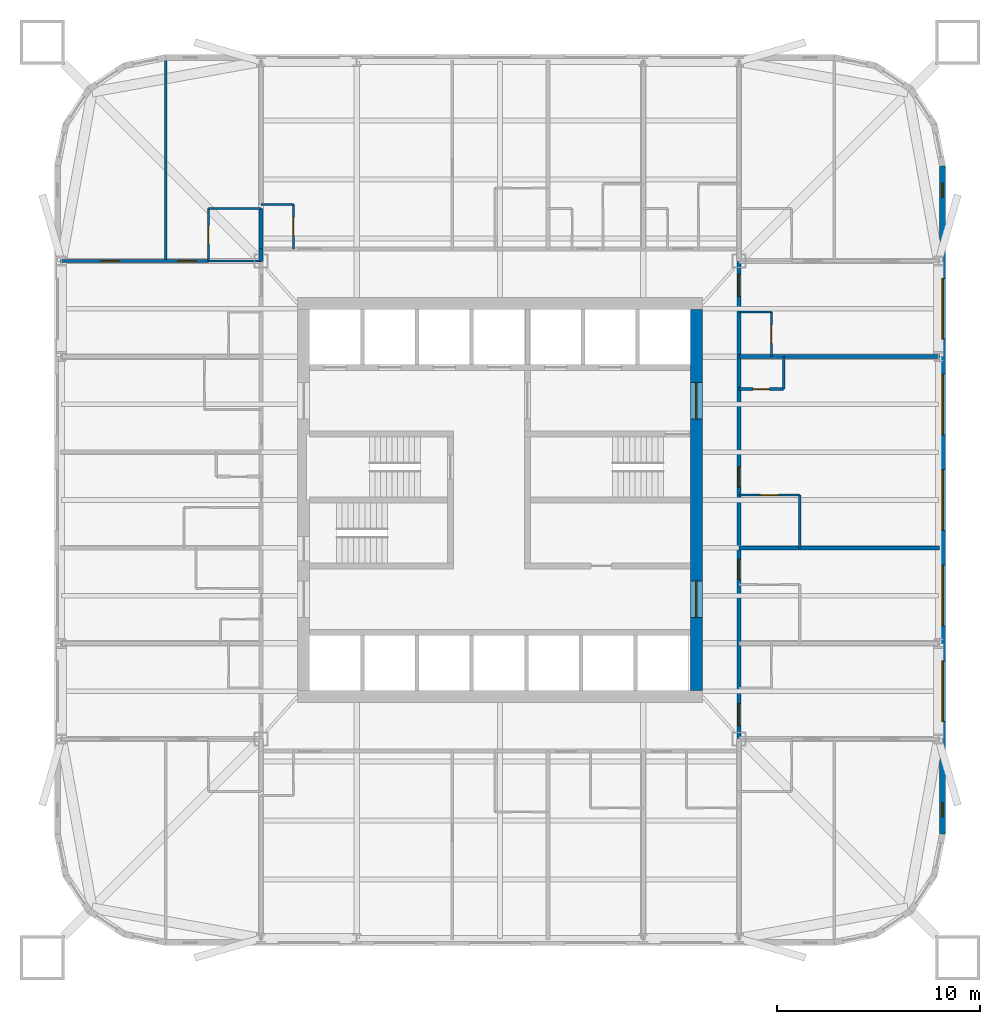
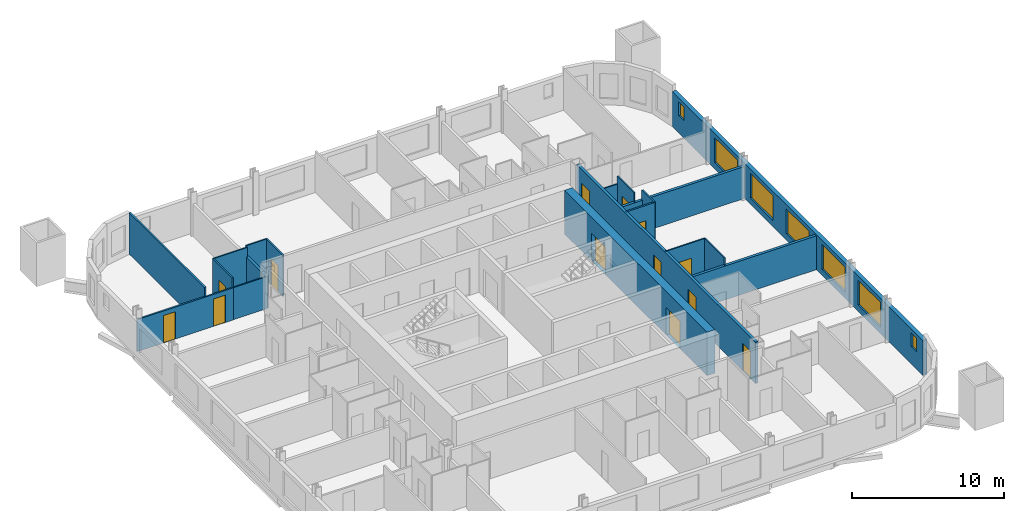
# One storey, part 6 of 9: 20 walls, 13 doors, 7 windows, 20 openings.
"""IFC4 building model written with IfcOpenShell, lengths in metres."""

from ifc_helpers import new_model, si_unit, direction, frame, frame_2d, origin, place, context, subcontext, project, spatial, rectangle, extrude, material, layer, layer_set, type_object, element, fill, save


model = new_model("IFC4")

# Units and contexts
model_context = context("Model", 3, precision=1e-05, world=origin(), true_north=direction((0.0, 1.0)))
body_context = subcontext(model_context, "Body", "Model", "MODEL_VIEW")
ifc_project = project(units=[si_unit("LENGTHUNIT", "METRE"), si_unit("AREAUNIT", "SQUARE_METRE"), si_unit("VOLUMEUNIT", "CUBIC_METRE"), si_unit("PLANEANGLEUNIT", "RADIAN"), si_unit("MASSUNIT", "GRAM", prefix="KILO")], contexts=[model_context])

# Site, building, storey
site_placement = place(None, origin())
site = spatial("IfcSite", under=ifc_project, at=site_placement, CompositionType="ELEMENT")
building_placement = place(site_placement, origin())
building = spatial("IfcBuilding", under=site, at=building_placement, Name="Turquesa Mirador Hotel Tower", CompositionType="ELEMENT")
storey_placement = place(building_placement, frame((0.0, 0.0, 35.5)))
storey = spatial("IfcBuildingStorey", under=building, at=storey_placement, Name="L08", CompositionType="ELEMENT", Elevation=35.5)

# Wall, opening, door
ifc_material_1 = material(Name="Gypsum board on steel studs", Category="steel")
ifc_layer_1 = layer(ifc_material_1, 0.10009765625)
ifc_layer_set_1 = layer_set([ifc_layer_1], Name="BATHROOM WALL 100")
wall_type_1 = type_object("IfcWallType", Name="BATHROOM WALL 100", PredefinedType="PARTITIONING", material=ifc_layer_set_1)
wall_1_placement = place(storey_placement, frame((66.800048828125, 45.239990234375, 0.0), z_axis=(0.0, 0.0, 1.0), x_axis=(1.0, 0.0, 0.0)))
wall_1 = element("IfcWall", 1, at=wall_1_placement, inside=storey, type_object=wall_type_1, Name="Partition L08 022", PredefinedType="PARTITIONING", context=body_context, shape_type="SweptSolid", body=[
    extrude(rectangle(XDim=3.0, YDim=0.10009765625, at=frame_2d((1.5, 0.0))), origin(), (0.0, 0.0, 1.0), 3.330078125),
])
opening_1_placement = place(wall_1_placement, frame((1.050048828125, 0.0, 0.0)))
opening_1 = element("IfcOpeningElement", 2, at=opening_1_placement, cuts=wall_1, Name="Opening D02", PredefinedType="OPENING", context=body_context, shape_type="SweptSolid", body=[
    extrude(rectangle(XDim=0.89990234375, YDim=2.10009765625, at=frame_2d((0.449951171875, 1.050048828125))), frame((0.0, 0.06005859375, 0.0), z_axis=(0.0, -1.0, 0.0), x_axis=(1.0, 0.0, 0.0)), (0.0, 0.0, 1.0), 0.1201171875),
])
ifc_material_2 = material(Name="Timber veneered door", Category="wood")
door_type_1 = type_object("IfcDoorType", Name="DOOR 900X2100 EN-SUITE", OperationType="SINGLE_SWING_RIGHT", PredefinedType="DOOR", material=ifc_material_2)
door_1_placement = place(opening_1_placement, origin())
door_1 = element("IfcDoor", 3, at=door_1_placement, inside=storey, type_object=door_type_1, Name="Door 0808B", OperationType="SINGLE_SWING_RIGHT", OverallHeight=2.10009765625, OverallWidth=0.89990234375, PredefinedType="DOOR", context=body_context, shape_type="SweptSolid", body=[
    extrude(rectangle(XDim=0.89990234375, YDim=2.10009765625, at=frame_2d((0.449951171875, 1.050048828125))), frame((0.0, 0.02490234375, 0.0), z_axis=(0.0, -1.0, 0.0), x_axis=(1.0, 0.0, 0.0)), (0.0, 0.0, 1.0), 0.050048828125),
])
fill(opening_1, door_1)

# Walls
wall_2_placement = place(storey_placement, frame((40.60009765625, 56.800048828125, 0.0), z_axis=(0.0, 0.0, 1.0), x_axis=(1.0, 0.0, 0.0)))
element("IfcWall", 4, at=wall_2_placement, inside=storey, type_object=wall_type_1, Name="Partition L08 024", PredefinedType="PARTITIONING", context=body_context, shape_type="SweptSolid", body=[
    extrude(rectangle(XDim=2.599853515625, YDim=0.10009765625, at=frame_2d((1.2998046875, 0.0))), origin(), (0.0, 0.0, 1.0), 2.572998046875),
])
wall_3_placement = place(storey_placement, frame((40.60009765625, 59.39990234375, 0.0), z_axis=(0.0, 0.0, 1.0), x_axis=(1.0, 0.0, 0.0)))
element("IfcWall", 5, at=wall_3_placement, inside=storey, type_object=wall_type_1, Name="Partition L08 029", PredefinedType="PARTITIONING", context=body_context, shape_type="SweptSolid", body=[
    extrude(rectangle(XDim=2.599853515625, YDim=0.10009765625, at=frame_2d((1.2998046875, 0.0))), origin(), (0.0, 0.0, 1.0), 3.330078125),
])
wall_4_placement = place(storey_placement, frame((43.199951171875, 59.60009765625, 0.0), z_axis=(0.0, 0.0, 1.0), x_axis=(1.0, 0.0, 0.0)))
element("IfcWall", 6, at=wall_4_placement, inside=storey, type_object=wall_type_1, Name="Partition L08 033", PredefinedType="PARTITIONING", context=body_context, shape_type="SweptSolid", body=[
    extrude(rectangle(XDim=1.60009765625, YDim=0.10009765625, at=frame_2d((0.800048828125, 0.0))), origin(), (0.0, 0.0, 1.0), 3.330078125),
])
wall_5_placement = place(storey_placement, frame((66.800048828125, 54.280029296875, 0.0), z_axis=(0.0, 0.0, 1.0), x_axis=(1.0, 0.0, 0.0)))
element("IfcWall", 7, at=wall_5_placement, inside=storey, type_object=wall_type_1, Name="Partition L08 043", PredefinedType="PARTITIONING", context=body_context, shape_type="SweptSolid", body=[
    extrude(rectangle(XDim=1.599853515625, YDim=0.10009765625, at=frame_2d((0.7998046875, 0.0))), origin(), (0.0, 0.0, 1.0), 2.722900390625),
])

# Wall, opening, door
wall_6_placement = place(storey_placement, frame((44.800048828125, 57.39990234375, 0.0), z_axis=(0.0, 0.0, 1.0), x_axis=(0.0, 1.0, 0.0)))
wall_6 = element("IfcWall", 8, at=wall_6_placement, inside=storey, type_object=wall_type_1, Name="Partition L08 047", PredefinedType="PARTITIONING", context=body_context, shape_type="SweptSolid", body=[
    extrude(rectangle(XDim=2.2001953125, YDim=0.10009765625, at=frame_2d((1.10009765625, 0.0))), origin(), (0.0, 0.0, 1.0), 3.330078125),
])
opening_2_placement = place(wall_6_placement, frame((0.64990234375, 0.0, 0.0)))
opening_2 = element("IfcOpeningElement", 9, at=opening_2_placement, cuts=wall_6, Name="Opening D06", PredefinedType="OPENING", context=body_context, shape_type="SweptSolid", body=[
    extrude(rectangle(XDim=0.89990234375, YDim=2.10009765625, at=frame_2d((0.449951171875, 1.050048828125))), frame((0.0, 0.06005859375, 0.0), z_axis=(0.0, -1.0, 0.0), x_axis=(1.0, 0.0, 0.0)), (0.0, 0.0, 1.0), 0.1201171875),
])
ifc_material_3 = material(Name="Laminate door", Category="wood")
door_type_2 = type_object("IfcDoorType", Name="DOOR 900X2100 WC", OperationType="SINGLE_SWING_LEFT", PredefinedType="DOOR", material=ifc_material_3)
door_2_placement = place(opening_2_placement, origin())
door_2 = element("IfcDoor", 10, at=door_2_placement, inside=storey, type_object=door_type_2, Name="Door 0801W", OperationType="SINGLE_SWING_LEFT", OverallHeight=2.10009765625, OverallWidth=0.89990234375, PredefinedType="DOOR", context=body_context, shape_type="SweptSolid", body=[
    extrude(rectangle(XDim=0.89990234375, YDim=2.10009765625, at=frame_2d((0.449951171875, 1.050048828125))), frame((0.0, 0.02490234375, 0.0), z_axis=(0.0, -1.0, 0.0), x_axis=(1.0, 0.0, 0.0)), (0.0, 0.0, 1.0), 0.050048828125),
])
fill(opening_2, door_2)

wall_7_placement = place(storey_placement, frame((40.60009765625, 56.800048828125, 0.0), z_axis=(0.0, 0.0, 1.0), x_axis=(0.0, 1.0, 0.0)))
wall_7 = element("IfcWall", 11, at=wall_7_placement, inside=storey, type_object=wall_type_1, Name="Partition L08 058", PredefinedType="PARTITIONING", context=body_context, shape_type="SweptSolid", body=[
    extrude(rectangle(XDim=2.599853515625, YDim=0.10009765625, at=frame_2d((1.2998046875, 0.0))), origin(), (0.0, 0.0, 1.0), 3.330078125),
])
opening_3_placement = place(wall_7_placement, frame((0.85009765625, 0.0, 0.0)))
opening_3 = element("IfcOpeningElement", 12, at=opening_3_placement, cuts=wall_7, Name="Opening D02", PredefinedType="OPENING", context=body_context, shape_type="SweptSolid", body=[
    extrude(rectangle(XDim=0.89990234375, YDim=2.10009765625, at=frame_2d((0.449951171875, 1.050048828125))), frame((0.0, 0.06005859375, 0.0), z_axis=(0.0, -1.0, 0.0), x_axis=(1.0, 0.0, 0.0)), (0.0, 0.0, 1.0), 0.1201171875),
])
door_3_placement = place(opening_3_placement, origin())
door_3 = element("IfcDoor", 13, at=door_3_placement, inside=storey, type_object=door_type_1, Name="Door 0813B", OperationType="SINGLE_SWING_RIGHT", OverallHeight=2.10009765625, OverallWidth=0.89990234375, PredefinedType="DOOR", context=body_context, shape_type="SweptSolid", body=[
    extrude(rectangle(XDim=0.89990234375, YDim=2.10009765625, at=frame_2d((0.449951171875, 1.050048828125))), frame((0.0, 0.02490234375, 0.0), z_axis=(0.0, -1.0, 0.0), x_axis=(1.0, 0.0, 0.0)), (0.0, 0.0, 1.0), 0.050048828125),
])
fill(opening_3, door_3)

wall_8_placement = place(storey_placement, frame((68.39990234375, 52.080078125, 0.0), z_axis=(0.0, 0.0, 1.0), x_axis=(0.0, 1.0, 0.0)))
wall_8 = element("IfcWall", 14, at=wall_8_placement, inside=storey, type_object=wall_type_1, Name="Partition L08 070", PredefinedType="PARTITIONING", context=body_context, shape_type="SweptSolid", body=[
    extrude(rectangle(XDim=2.199951171875, YDim=0.10009765625, at=frame_2d((1.10009765625, 0.0))), origin(), (0.0, 0.0, 1.0), 3.330078125),
])
opening_4_placement = place(wall_8_placement, frame((0.64990234375, 0.0, 0.0)))
opening_4 = element("IfcOpeningElement", 15, at=opening_4_placement, cuts=wall_8, Name="Opening D06", PredefinedType="OPENING", context=body_context, shape_type="SweptSolid", body=[
    extrude(rectangle(XDim=0.89990234375, YDim=2.10009765625, at=frame_2d((0.449951171875, 1.050048828125))), frame((0.0, 0.06005859375, 0.0), z_axis=(0.0, -1.0, 0.0), x_axis=(1.0, 0.0, 0.0)), (0.0, 0.0, 1.0), 0.1201171875),
])
door_4_placement = place(opening_4_placement, origin())
door_4 = element("IfcDoor", 16, at=door_4_placement, inside=storey, type_object=door_type_2, Name="Door 0812W", OperationType="SINGLE_SWING_LEFT", OverallHeight=2.10009765625, OverallWidth=0.89990234375, PredefinedType="DOOR", context=body_context, shape_type="SweptSolid", body=[
    extrude(rectangle(XDim=0.89990234375, YDim=2.10009765625, at=frame_2d((0.449951171875, 1.050048828125))), frame((0.0, 0.02490234375, 0.0), z_axis=(0.0, -1.0, 0.0), x_axis=(1.0, 0.0, 0.0)), (0.0, 0.0, 1.0), 0.050048828125),
])
fill(opening_4, door_4)

# Wall
wall_9_placement = place(storey_placement, frame((69.800048828125, 42.639892578125, 0.0), z_axis=(0.0, 0.0, 1.0), x_axis=(0.0, 1.0, 0.0)))
element("IfcWall", 17, at=wall_9_placement, inside=storey, type_object=wall_type_1, Name="Partition L08 075", PredefinedType="PARTITIONING", context=body_context, shape_type="SweptSolid", body=[
    extrude(rectangle(XDim=2.60009765625, YDim=0.10009765625, at=frame_2d((1.300048828125, 0.0))), origin(), (0.0, 0.0, 1.0), 3.330078125),
])

# Wall, openings, doors
ifc_material_4 = material(Name="Concrete C50/60", Category="concrete")
ifc_layer_2 = layer(ifc_material_4, 0.60009765625)
ifc_layer_set_2 = layer_set([ifc_layer_2], Name="CORE WALL 600")
wall_type_2 = type_object("IfcWallType", Name="CORE WALL 600", PredefinedType="SHEAR", material=ifc_layer_set_2)
wall_10_placement = place(storey_placement, frame((64.699951171875, 35.60009765625, 0.0), z_axis=(0.0, 0.0, 1.0), x_axis=(0.0, 1.0, 0.0)))
wall_10 = element("IfcWall", 18, at=wall_10_placement, inside=storey, type_object=wall_type_2, Name="Core wall E", PredefinedType="SHEAR", context=body_context, shape_type="SweptSolid", body=[
    extrude(rectangle(XDim=18.7998046875, YDim=0.60009765625, at=frame_2d((9.39990234375, 0.0))), origin(), (0.0, 0.0, 1.0), 3.5),
])
opening_5_placement = place(wall_10_placement, frame((13.39990234375, 0.0, 0.0)))
opening_5 = element("IfcOpeningElement", 19, at=opening_5_placement, cuts=wall_10, Name="Opening D04", PredefinedType="OPENING", context=body_context, shape_type="SweptSolid", body=[
    extrude(rectangle(XDim=1.800048828125, YDim=2.199951171875, at=frame_2d((0.89990234375, 1.10009765625))), frame((0.0, 0.31005859375, 0.0), z_axis=(0.0, -1.0, 0.0), x_axis=(1.0, 0.0, 0.0)), (0.0, 0.0, 1.0), 0.6201171875),
])
opening_6_placement = place(wall_10_placement, frame((3.60009765625, 0.0, 0.0)))
opening_6 = element("IfcOpeningElement", 20, at=opening_6_placement, cuts=wall_10, Name="Opening D04", PredefinedType="OPENING", context=body_context, shape_type="SweptSolid", body=[
    extrude(rectangle(XDim=1.800048828125, YDim=2.199951171875, at=frame_2d((0.89990234375, 1.10009765625))), frame((0.0, 0.31005859375, 0.0), z_axis=(0.0, -1.0, 0.0), x_axis=(1.0, 0.0, 0.0)), (0.0, 0.0, 1.0), 0.6201171875),
])
ifc_material_5 = material(Name="Steel fire door pair", Category="steel")
door_type_3 = type_object("IfcDoorType", Name="DOOR 1800X2200 PAIR", OperationType="DOUBLE_DOOR_SINGLE_SWING", PredefinedType="DOOR", material=ifc_material_5)
door_5_placement = place(opening_5_placement, origin())
door_5 = element("IfcDoor", 21, at=door_5_placement, inside=storey, type_object=door_type_3, Name="Firefighting lobby door", OperationType="DOUBLE_DOOR_SINGLE_SWING", OverallHeight=2.199951171875, OverallWidth=1.800048828125, PredefinedType="DOOR", context=body_context, shape_type="SweptSolid", body=[
    extrude(rectangle(XDim=1.800048828125, YDim=2.199951171875, at=frame_2d((0.89990234375, 1.10009765625))), frame((0.0, 0.02490234375, 0.0), z_axis=(0.0, -1.0, 0.0), x_axis=(1.0, 0.0, 0.0)), (0.0, 0.0, 1.0), 0.050048828125),
])
fill(opening_5, door_5)
door_6_placement = place(opening_6_placement, origin())
door_6 = element("IfcDoor", 22, at=door_6_placement, inside=storey, type_object=door_type_3, Name="South lift lobby door", OperationType="DOUBLE_DOOR_SINGLE_SWING", OverallHeight=2.199951171875, OverallWidth=1.800048828125, PredefinedType="DOOR", context=body_context, shape_type="SweptSolid", body=[
    extrude(rectangle(XDim=1.800048828125, YDim=2.199951171875, at=frame_2d((0.89990234375, 1.10009765625))), frame((0.0, 0.02490234375, 0.0), z_axis=(0.0, -1.0, 0.0), x_axis=(1.0, 0.0, 0.0)), (0.0, 0.0, 1.0), 0.050048828125),
])
fill(opening_6, door_6)

ifc_material_6 = material(Name="Fire-rated gypsum board on steel studs", Category="steel")
ifc_layer_3 = layer(ifc_material_6, 0.199951171875)
ifc_layer_set_3 = layer_set([ifc_layer_3], Name="CORRIDOR WALL 200")
wall_type_3 = type_object("IfcWallType", Name="CORRIDOR WALL 200", PredefinedType="PARTITIONING", material=ifc_layer_set_3)
wall_11_placement = place(storey_placement, frame((66.800048828125, 33.219970703125, 0.0), z_axis=(0.0, 0.0, 1.0), x_axis=(0.0, 1.0, 0.0)))
wall_11 = element("IfcWall", 23, at=wall_11_placement, inside=storey, type_object=wall_type_3, Name="Partition L08 066", PredefinedType="PARTITIONING", context=body_context, shape_type="SweptSolid", body=[
    extrude(rectangle(XDim=23.56005859375, YDim=0.199951171875, at=frame_2d((11.780029296875, 0.0))), origin(), (0.0, 0.0, 1.0), 3.330078125),
])
opening_7_placement = place(wall_11_placement, frame((7.85009765625, 0.0, 0.0)))
opening_7 = element("IfcOpeningElement", 24, at=opening_7_placement, cuts=wall_11, Name="Opening D01", PredefinedType="OPENING", context=body_context, shape_type="SweptSolid", body=[
    extrude(rectangle(XDim=1.0, YDim=2.199951171875, at=frame_2d((0.5, 1.10009765625))), frame((0.0, 0.10986328125, 0.0), z_axis=(0.0, -1.0, 0.0), x_axis=(1.0, 0.0, 0.0)), (0.0, 0.0, 1.0), 0.219970703125),
])
opening_8_placement = place(wall_11_placement, frame((12.419921875, 0.0, 0.0)))
opening_8 = element("IfcOpeningElement", 25, at=opening_8_placement, cuts=wall_11, Name="Opening D01", PredefinedType="OPENING", context=body_context, shape_type="SweptSolid", body=[
    extrude(rectangle(XDim=1.0, YDim=2.199951171875, at=frame_2d((0.5, 1.10009765625))), frame((0.0, 0.10986328125, 0.0), z_axis=(0.0, -1.0, 0.0), x_axis=(1.0, 0.0, 0.0)), (0.0, 0.0, 1.0), 0.219970703125),
])
opening_9_placement = place(wall_11_placement, frame((21.830078125, 0.0, 0.0)))
opening_9 = element("IfcOpeningElement", 26, at=opening_9_placement, cuts=wall_11, Name="Opening D15", PredefinedType="OPENING", context=body_context, shape_type="SweptSolid", body=[
    extrude(rectangle(XDim=1.10009765625, YDim=2.199951171875, at=frame_2d((0.550048828125, 1.10009765625))), frame((0.0, 0.10986328125, 0.0), z_axis=(0.0, -1.0, 0.0), x_axis=(1.0, 0.0, 0.0)), (0.0, 0.0, 1.0), 0.219970703125),
])
opening_10_placement = place(wall_11_placement, frame((0.6298828125, 0.0, 0.0)))
opening_10 = element("IfcOpeningElement", 27, at=opening_10_placement, cuts=wall_11, Name="Opening D15", PredefinedType="OPENING", context=body_context, shape_type="SweptSolid", body=[
    extrude(rectangle(XDim=1.10009765625, YDim=2.199951171875, at=frame_2d((0.550048828125, 1.10009765625))), frame((0.0, 0.10986328125, 0.0), z_axis=(0.0, -1.0, 0.0), x_axis=(1.0, 0.0, 0.0)), (0.0, 0.0, 1.0), 0.219970703125),
])
ifc_material_7 = material(Name="Timber veneered fire door", Category="wood")
door_type_4 = type_object("IfcDoorType", Name="DOOR 1000X2200 GUEST ENTRY", OperationType="SINGLE_SWING_LEFT", PredefinedType="DOOR", material=ifc_material_7)
door_7_placement = place(opening_7_placement, origin())
door_7 = element("IfcDoor", 28, at=door_7_placement, inside=storey, type_object=door_type_4, Name="Door 0807", OperationType="SINGLE_SWING_LEFT", OverallHeight=2.199951171875, OverallWidth=1.0, PredefinedType="DOOR", context=body_context, shape_type="SweptSolid", body=[
    extrude(rectangle(XDim=1.0, YDim=2.199951171875, at=frame_2d((0.5, 1.10009765625))), frame((0.0, 0.02490234375, 0.0), z_axis=(0.0, -1.0, 0.0), x_axis=(1.0, 0.0, 0.0)), (0.0, 0.0, 1.0), 0.050048828125),
])
fill(opening_7, door_7)
door_8_placement = place(opening_8_placement, origin())
door_8 = element("IfcDoor", 29, at=door_8_placement, inside=storey, type_object=door_type_4, Name="Door 0808", OperationType="SINGLE_SWING_LEFT", OverallHeight=2.199951171875, OverallWidth=1.0, PredefinedType="DOOR", context=body_context, shape_type="SweptSolid", body=[
    extrude(rectangle(XDim=1.0, YDim=2.199951171875, at=frame_2d((0.5, 1.10009765625))), frame((0.0, 0.02490234375, 0.0), z_axis=(0.0, -1.0, 0.0), x_axis=(1.0, 0.0, 0.0)), (0.0, 0.0, 1.0), 0.050048828125),
])
fill(opening_8, door_8)
ifc_material_8 = material(Name="Timber veneered fire door", Category="wood")
door_type_5 = type_object("IfcDoorType", Name="DOOR 1100X2200 SUITE ENTRY", OperationType="SINGLE_SWING_LEFT", PredefinedType="DOOR", material=ifc_material_8)
door_9_placement = place(opening_9_placement, origin())
door_9 = element("IfcDoor", 30, at=door_9_placement, inside=storey, type_object=door_type_5, Name="Door 0812", OperationType="SINGLE_SWING_LEFT", OverallHeight=2.199951171875, OverallWidth=1.10009765625, PredefinedType="DOOR", context=body_context, shape_type="SweptSolid", body=[
    extrude(rectangle(XDim=1.10009765625, YDim=2.199951171875, at=frame_2d((0.550048828125, 1.10009765625))), frame((0.0, 0.02490234375, 0.0), z_axis=(0.0, -1.0, 0.0), x_axis=(1.0, 0.0, 0.0)), (0.0, 0.0, 1.0), 0.050048828125),
])
fill(opening_9, door_9)
door_10_placement = place(opening_10_placement, origin())
door_10 = element("IfcDoor", 31, at=door_10_placement, inside=storey, type_object=door_type_5, Name="Door 0815", OperationType="SINGLE_SWING_LEFT", OverallHeight=2.199951171875, OverallWidth=1.10009765625, PredefinedType="DOOR", context=body_context, shape_type="SweptSolid", body=[
    extrude(rectangle(XDim=1.10009765625, YDim=2.199951171875, at=frame_2d((0.550048828125, 1.10009765625))), frame((0.0, 0.02490234375, 0.0), z_axis=(0.0, -1.0, 0.0), x_axis=(1.0, 0.0, 0.0)), (0.0, 0.0, 1.0), 0.050048828125),
])
fill(opening_10, door_10)

# Wall
wall_12_placement = place(storey_placement, frame((43.199951171875, 56.780029296875, 0.0), z_axis=(0.0, 0.0, 1.0), x_axis=(0.0, 1.0, 0.0)))
element("IfcWall", 32, at=wall_12_placement, inside=storey, type_object=wall_type_3, Name="Partition L08 089", PredefinedType="PARTITIONING", context=body_context, shape_type="SweptSolid", body=[
    extrude(rectangle(XDim=0.619873046875, YDim=0.199951171875, at=frame_2d((0.31005859375, 0.0))), origin(), (0.0, 0.0, 1.0), 2.572998046875),
])

# Wall, openings, windows
ifc_material_9 = material(Name="Limestone cladding on concrete block", Category="masonry")
ifc_layer_4 = layer(ifc_material_9, 0.300048828125)
ifc_layer_set_4 = layer_set([ifc_layer_4], Name="FACADE WALL 300 STONE SCREEN")
wall_type_4 = type_object("IfcWallType", Name="FACADE WALL 300 STONE SCREEN", PredefinedType="SOLIDWALL", material=ifc_layer_set_4)
wall_13_placement = place(storey_placement, frame((76.85009765625, 28.5, 0.0), z_axis=(0.0, 0.0, 1.0), x_axis=(0.0, 1.0, 0.0)))
wall_13 = element("IfcWall", 33, at=wall_13_placement, inside=storey, type_object=wall_type_4, Name="Facade wall L08 04", PredefinedType="SOLIDWALL", context=body_context, shape_type="SweptSolid", body=[
    extrude(rectangle(XDim=33.0, YDim=0.300048828125, at=frame_2d((16.5, 0.0))), origin(), (0.0, 0.0, 1.0), 2.830078125),
])
opening_11_placement = place(wall_13_placement, frame((0.85009765625, 0.0, 1.39990234375)))
opening_11 = element("IfcOpeningElement", 34, at=opening_11_placement, cuts=wall_13, Name="Opening WN33", PredefinedType="OPENING", context=body_context, shape_type="SweptSolid", body=[
    extrude(rectangle(XDim=0.699951171875, YDim=1.10009765625, at=frame_2d((0.35009765625, 0.550048828125))), frame((0.0, 0.159912109375, 0.0), z_axis=(0.0, -1.0, 0.0), x_axis=(1.0, 0.0, 0.0)), (0.0, 0.0, 1.0), 0.320068359375),
])
opening_12_placement = place(wall_13_placement, frame((5.56005859375, 0.0, 0.5)))
opening_12 = element("IfcOpeningElement", 35, at=opening_12_placement, cuts=wall_13, Name="Opening WN1", PredefinedType="OPENING", context=body_context, shape_type="SweptSolid", body=[
    extrude(rectangle(XDim=3.0, YDim=2.0, at=frame_2d((1.5, 1.0))), frame((0.0, 0.159912109375, 0.0), z_axis=(0.0, -1.0, 0.0), x_axis=(1.0, 0.0, 0.0)), (0.0, 0.0, 1.0), 0.320068359375),
])
opening_13_placement = place(wall_13_placement, frame((10.280029296875, 0.0, 0.5)))
opening_13 = element("IfcOpeningElement", 36, at=opening_13_placement, cuts=wall_13, Name="Opening WN1", PredefinedType="OPENING", context=body_context, shape_type="SweptSolid", body=[
    extrude(rectangle(XDim=3.0, YDim=2.0, at=frame_2d((1.5, 1.0))), frame((0.0, 0.159912109375, 0.0), z_axis=(0.0, -1.0, 0.0), x_axis=(1.0, 0.0, 0.0)), (0.0, 0.0, 1.0), 0.320068359375),
])
opening_14_placement = place(wall_13_placement, frame((15.0, 0.0, 0.5)))
opening_14 = element("IfcOpeningElement", 37, at=opening_14_placement, cuts=wall_13, Name="Opening WN1", PredefinedType="OPENING", context=body_context, shape_type="SweptSolid", body=[
    extrude(rectangle(XDim=3.0, YDim=2.0, at=frame_2d((1.5, 1.0))), frame((0.0, 0.159912109375, 0.0), z_axis=(0.0, -1.0, 0.0), x_axis=(1.0, 0.0, 0.0)), (0.0, 0.0, 1.0), 0.320068359375),
])
opening_15_placement = place(wall_13_placement, frame((19.719970703125, 0.0, 0.5)))
opening_15 = element("IfcOpeningElement", 38, at=opening_15_placement, cuts=wall_13, Name="Opening WN1", PredefinedType="OPENING", context=body_context, shape_type="SweptSolid", body=[
    extrude(rectangle(XDim=3.0, YDim=2.0, at=frame_2d((1.5, 1.0))), frame((0.0, 0.159912109375, 0.0), z_axis=(0.0, -1.0, 0.0), x_axis=(1.0, 0.0, 0.0)), (0.0, 0.0, 1.0), 0.320068359375),
])
opening_16_placement = place(wall_13_placement, frame((24.43994140625, 0.0, 0.5)))
opening_16 = element("IfcOpeningElement", 39, at=opening_16_placement, cuts=wall_13, Name="Opening WN1", PredefinedType="OPENING", context=body_context, shape_type="SweptSolid", body=[
    extrude(rectangle(XDim=3.0, YDim=2.0, at=frame_2d((1.5, 1.0))), frame((0.0, 0.159912109375, 0.0), z_axis=(0.0, -1.0, 0.0), x_axis=(1.0, 0.0, 0.0)), (0.0, 0.0, 1.0), 0.320068359375),
])
opening_17_placement = place(wall_13_placement, frame((31.449951171875, 0.0, 1.39990234375)))
opening_17 = element("IfcOpeningElement", 40, at=opening_17_placement, cuts=wall_13, Name="Opening WN33", PredefinedType="OPENING", context=body_context, shape_type="SweptSolid", body=[
    extrude(rectangle(XDim=0.699951171875, YDim=1.10009765625, at=frame_2d((0.35009765625, 0.550048828125))), frame((0.0, 0.159912109375, 0.0), z_axis=(0.0, -1.0, 0.0), x_axis=(1.0, 0.0, 0.0)), (0.0, 0.0, 1.0), 0.320068359375),
])
ifc_material_10 = material(Name="Ceramic-fritted laminated glass", Category="glass")
window_type_1 = type_object("IfcWindowType", Name="FRITTED WINDOW 3000X2000", PartitioningType="DOUBLE_PANEL_HORIZONTAL", PredefinedType="WINDOW", material=ifc_material_10)
window_1_placement = place(opening_12_placement, origin())
window_1 = element("IfcWindow", 41, at=window_1_placement, inside=storey, type_object=window_type_1, Name="Window L08", OverallHeight=2.0, OverallWidth=3.0, PartitioningType="SINGLE_PANEL", PredefinedType="WINDOW", context=body_context, shape_type="SweptSolid", body=[
    extrude(rectangle(XDim=3.0, YDim=2.0, at=frame_2d((1.5, 1.0))), frame((0.0, 0.030029296875, 0.0), z_axis=(0.0, -1.0, 0.0), x_axis=(1.0, 0.0, 0.0)), (0.0, 0.0, 1.0), 0.06005859375),
])
fill(opening_12, window_1)
window_2_placement = place(opening_13_placement, origin())
window_2 = element("IfcWindow", 42, at=window_2_placement, inside=storey, type_object=window_type_1, Name="Window L08", OverallHeight=2.0, OverallWidth=3.0, PartitioningType="SINGLE_PANEL", PredefinedType="WINDOW", context=body_context, shape_type="SweptSolid", body=[
    extrude(rectangle(XDim=3.0, YDim=2.0, at=frame_2d((1.5, 1.0))), frame((0.0, 0.030029296875, 0.0), z_axis=(0.0, -1.0, 0.0), x_axis=(1.0, 0.0, 0.0)), (0.0, 0.0, 1.0), 0.06005859375),
])
fill(opening_13, window_2)
window_3_placement = place(opening_14_placement, origin())
window_3 = element("IfcWindow", 43, at=window_3_placement, inside=storey, type_object=window_type_1, Name="Window L08", OverallHeight=2.0, OverallWidth=3.0, PartitioningType="SINGLE_PANEL", PredefinedType="WINDOW", context=body_context, shape_type="SweptSolid", body=[
    extrude(rectangle(XDim=3.0, YDim=2.0, at=frame_2d((1.5, 1.0))), frame((0.0, 0.030029296875, 0.0), z_axis=(0.0, -1.0, 0.0), x_axis=(1.0, 0.0, 0.0)), (0.0, 0.0, 1.0), 0.06005859375),
])
fill(opening_14, window_3)
window_4_placement = place(opening_15_placement, origin())
window_4 = element("IfcWindow", 44, at=window_4_placement, inside=storey, type_object=window_type_1, Name="Window L08", OverallHeight=2.0, OverallWidth=3.0, PartitioningType="SINGLE_PANEL", PredefinedType="WINDOW", context=body_context, shape_type="SweptSolid", body=[
    extrude(rectangle(XDim=3.0, YDim=2.0, at=frame_2d((1.5, 1.0))), frame((0.0, 0.030029296875, 0.0), z_axis=(0.0, -1.0, 0.0), x_axis=(1.0, 0.0, 0.0)), (0.0, 0.0, 1.0), 0.06005859375),
])
fill(opening_15, window_4)
window_5_placement = place(opening_16_placement, origin())
window_5 = element("IfcWindow", 45, at=window_5_placement, inside=storey, type_object=window_type_1, Name="Window L08", OverallHeight=2.0, OverallWidth=3.0, PartitioningType="SINGLE_PANEL", PredefinedType="WINDOW", context=body_context, shape_type="SweptSolid", body=[
    extrude(rectangle(XDim=3.0, YDim=2.0, at=frame_2d((1.5, 1.0))), frame((0.0, 0.030029296875, 0.0), z_axis=(0.0, -1.0, 0.0), x_axis=(1.0, 0.0, 0.0)), (0.0, 0.0, 1.0), 0.06005859375),
])
fill(opening_16, window_5)
ifc_material_11 = material(Name="Ceramic-fritted laminated glass", Category="glass")
window_type_2 = type_object("IfcWindowType", Name="FRITTED WINDOW 700X1100", PartitioningType="DOUBLE_PANEL_HORIZONTAL", PredefinedType="WINDOW", material=ifc_material_11)
window_6_placement = place(opening_11_placement, origin())
window_6 = element("IfcWindow", 46, at=window_6_placement, inside=storey, type_object=window_type_2, Name="Window L08", OverallHeight=1.10009765625, OverallWidth=0.699951171875, PartitioningType="SINGLE_PANEL", PredefinedType="WINDOW", context=body_context, shape_type="SweptSolid", body=[
    extrude(rectangle(XDim=0.699951171875, YDim=1.10009765625, at=frame_2d((0.35009765625, 0.550048828125))), frame((0.0, 0.030029296875, 0.0), z_axis=(0.0, -1.0, 0.0), x_axis=(1.0, 0.0, 0.0)), (0.0, 0.0, 1.0), 0.06005859375),
])
fill(opening_11, window_6)
window_7_placement = place(opening_17_placement, origin())
window_7 = element("IfcWindow", 47, at=window_7_placement, inside=storey, type_object=window_type_2, Name="Window L08", OverallHeight=1.10009765625, OverallWidth=0.699951171875, PartitioningType="SINGLE_PANEL", PredefinedType="WINDOW", context=body_context, shape_type="SweptSolid", body=[
    extrude(rectangle(XDim=0.699951171875, YDim=1.10009765625, at=frame_2d((0.35009765625, 0.550048828125))), frame((0.0, 0.030029296875, 0.0), z_axis=(0.0, -1.0, 0.0), x_axis=(1.0, 0.0, 0.0)), (0.0, 0.0, 1.0), 0.06005859375),
])
fill(opening_17, window_7)

# Walls
ifc_material_12 = material(Name="Fire-rated gypsum board on steel studs", Category="steel")
ifc_layer_5 = layer(ifc_material_12, 0.199951171875)
ifc_layer_set_5 = layer_set([ifc_layer_5], Name="PARTY WALL 200")
wall_type_5 = type_object("IfcWallType", Name="PARTY WALL 200", PredefinedType="PARTITIONING", material=ifc_layer_set_5)
wall_14_placement = place(storey_placement, frame((66.800048828125, 42.639892578125, 0.0), z_axis=(0.0, 0.0, 1.0), x_axis=(1.0, 0.0, 0.0)))
element("IfcWall", 48, at=wall_14_placement, inside=storey, type_object=wall_type_5, Name="Partition L08 014", PredefinedType="PARTITIONING", context=body_context, shape_type="SweptSolid", body=[
    extrude(rectangle(XDim=9.89990234375, YDim=0.199951171875, at=frame_2d((4.949951171875, 0.0))), origin(), (0.0, 0.0, 1.0), 2.722900390625),
])
wall_15_placement = place(storey_placement, frame((66.800048828125, 52.080078125, 0.0), z_axis=(0.0, 0.0, 1.0), x_axis=(1.0, 0.0, 0.0)))
element("IfcWall", 49, at=wall_15_placement, inside=storey, type_object=wall_type_5, Name="Partition L08 041", PredefinedType="PARTITIONING", context=body_context, shape_type="SweptSolid", body=[
    extrude(rectangle(XDim=9.89990234375, YDim=0.199951171875, at=frame_2d((4.949951171875, 0.0))), origin(), (0.0, 0.0, 1.0), 2.572998046875),
])
wall_16_placement = place(storey_placement, frame((43.199951171875, 57.39990234375, 0.0), z_axis=(0.0, 0.0, 1.0), x_axis=(0.0, 1.0, 0.0)))
element("IfcWall", 50, at=wall_16_placement, inside=storey, type_object=wall_type_5, Name="Partition L08 051", PredefinedType="PARTITIONING", context=body_context, shape_type="SweptSolid", body=[
    extrude(rectangle(XDim=2.0, YDim=0.199951171875, at=frame_2d((1.0, 0.0))), origin(), (0.0, 0.0, 1.0), 2.572998046875),
])

# Wall, openings, doors
ifc_material_13 = material(Name="Acoustic gypsum board on steel studs", Category="steel")
ifc_layer_6 = layer(ifc_material_13, 0.125)
ifc_layer_set_6 = layer_set([ifc_layer_6], Name="SUITE PARTITION 125")
wall_type_6 = type_object("IfcWallType", Name="SUITE PARTITION 125", PredefinedType="PARTITIONING", material=ifc_layer_set_6)
wall_17_placement = place(storey_placement, frame((33.300048828125, 56.800048828125, 0.0), z_axis=(0.0, 0.0, 1.0), x_axis=(1.0, 0.0, 0.0)))
wall_17 = element("IfcWall", 51, at=wall_17_placement, inside=storey, type_object=wall_type_6, Name="Partition L08 026", PredefinedType="PARTITIONING", context=body_context, shape_type="SweptSolid", body=[
    extrude(rectangle(XDim=7.300048828125, YDim=0.125, at=frame_2d((3.64990234375, 0.0))), origin(), (0.0, 0.0, 1.0), 2.572998046875),
])
opening_18_placement = place(wall_17_placement, frame((5.800048828125, 0.0, 0.0)))
opening_18 = element("IfcOpeningElement", 52, at=opening_18_placement, cuts=wall_17, Name="Opening D17", PredefinedType="OPENING", context=body_context, shape_type="SweptSolid", body=[
    extrude(rectangle(XDim=0.89990234375, YDim=2.199951171875, at=frame_2d((0.449951171875, 1.10009765625))), frame((0.0, 0.072509765625, 0.0), z_axis=(0.0, -1.0, 0.0), x_axis=(1.0, 0.0, 0.0)), (0.0, 0.0, 1.0), 0.14501953125),
])
opening_19_placement = place(wall_17_placement, frame((2.0, 0.0, 0.0)))
opening_19 = element("IfcOpeningElement", 53, at=opening_19_placement, cuts=wall_17, Name="Opening D17", PredefinedType="OPENING", context=body_context, shape_type="SweptSolid", body=[
    extrude(rectangle(XDim=0.89990234375, YDim=2.199951171875, at=frame_2d((0.449951171875, 1.10009765625))), frame((0.0, 0.072509765625, 0.0), z_axis=(0.0, -1.0, 0.0), x_axis=(1.0, 0.0, 0.0)), (0.0, 0.0, 1.0), 0.14501953125),
])
ifc_material_14 = material(Name="Timber veneered door", Category="wood")
door_type_6 = type_object("IfcDoorType", Name="DOOR 900X2200 SUITE INTERNAL", OperationType="SINGLE_SWING_LEFT", PredefinedType="DOOR", material=ifc_material_14)
door_11_placement = place(opening_18_placement, origin())
door_11 = element("IfcDoor", 54, at=door_11_placement, inside=storey, type_object=door_type_6, Name="Door 0813R", OperationType="SINGLE_SWING_LEFT", OverallHeight=2.199951171875, OverallWidth=0.89990234375, PredefinedType="DOOR", context=body_context, shape_type="SweptSolid", body=[
    extrude(rectangle(XDim=0.89990234375, YDim=2.199951171875, at=frame_2d((0.449951171875, 1.10009765625))), frame((0.0, 0.02490234375, 0.0), z_axis=(0.0, -1.0, 0.0), x_axis=(1.0, 0.0, 0.0)), (0.0, 0.0, 1.0), 0.050048828125),
])
fill(opening_18, door_11)
door_12_placement = place(opening_19_placement, origin())
door_12 = element("IfcDoor", 55, at=door_12_placement, inside=storey, type_object=door_type_6, Name="Door 0813S", OperationType="SINGLE_SWING_LEFT", OverallHeight=2.199951171875, OverallWidth=0.89990234375, PredefinedType="DOOR", context=body_context, shape_type="SweptSolid", body=[
    extrude(rectangle(XDim=0.89990234375, YDim=2.199951171875, at=frame_2d((0.449951171875, 1.10009765625))), frame((0.0, 0.02490234375, 0.0), z_axis=(0.0, -1.0, 0.0), x_axis=(1.0, 0.0, 0.0)), (0.0, 0.0, 1.0), 0.050048828125),
])
fill(opening_19, door_12)

# Wall, opening, door
wall_18_placement = place(storey_placement, frame((66.800048828125, 50.47998046875, 0.0), z_axis=(0.0, 0.0, 1.0), x_axis=(1.0, 0.0, 0.0)))
wall_18 = element("IfcWall", 56, at=wall_18_placement, inside=storey, type_object=wall_type_6, Name="Partition L08 039", PredefinedType="PARTITIONING", context=body_context, shape_type="SweptSolid", body=[
    extrude(rectangle(XDim=2.199951171875, YDim=0.125, at=frame_2d((1.10009765625, 0.0))), origin(), (0.0, 0.0, 1.0), 3.330078125),
])
opening_20_placement = place(wall_18_placement, frame((0.699951171875, 0.0, 0.0)))
opening_20 = element("IfcOpeningElement", 57, at=opening_20_placement, cuts=wall_18, Name="Opening D20", PredefinedType="OPENING", context=body_context, shape_type="SweptSolid", body=[
    extrude(rectangle(XDim=0.800048828125, YDim=2.10009765625, at=frame_2d((0.39990234375, 1.050048828125))), frame((0.0, 0.072509765625, 0.0), z_axis=(0.0, -1.0, 0.0), x_axis=(1.0, 0.0, 0.0)), (0.0, 0.0, 1.0), 0.14501953125),
])
ifc_material_15 = material(Name="Timber veneered sliding door", Category="wood")
door_type_7 = type_object("IfcDoorType", Name="DOOR 800X2100 WARDROBE", OperationType="SLIDING_TO_LEFT", PredefinedType="DOOR", material=ifc_material_15)
door_13_placement = place(opening_20_placement, origin())
door_13 = element("IfcDoor", 58, at=door_13_placement, inside=storey, type_object=door_type_7, Name="Door 0808W", OperationType="SLIDING_TO_LEFT", OverallHeight=2.10009765625, OverallWidth=0.800048828125, PredefinedType="DOOR", context=body_context, shape_type="SweptSolid", body=[
    extrude(rectangle(XDim=0.800048828125, YDim=2.10009765625, at=frame_2d((0.39990234375, 1.050048828125))), frame((0.0, 0.02490234375, 0.0), z_axis=(0.0, -1.0, 0.0), x_axis=(1.0, 0.0, 0.0)), (0.0, 0.0, 1.0), 0.050048828125),
])
fill(opening_20, door_13)

# Walls
wall_19_placement = place(storey_placement, frame((38.5, 56.800048828125, 0.0), z_axis=(0.0, 0.0, 1.0), x_axis=(0.0, 1.0, 0.0)))
element("IfcWall", 59, at=wall_19_placement, inside=storey, type_object=wall_type_6, Name="Partition L08 063", PredefinedType="PARTITIONING", context=body_context, shape_type="SweptSolid", body=[
    extrude(rectangle(XDim=9.89404296875, YDim=0.125, at=frame_2d((4.947021484375, 0.0))), origin(), (0.0, 0.0, 1.0), 3.330078125),
])
wall_20_placement = place(storey_placement, frame((69.0, 50.47998046875, 0.0), z_axis=(0.0, 0.0, 1.0), x_axis=(0.0, 1.0, 0.0)))
element("IfcWall", 60, at=wall_20_placement, inside=storey, type_object=wall_type_6, Name="Partition L08 071", PredefinedType="PARTITIONING", context=body_context, shape_type="SweptSolid", body=[
    extrude(rectangle(XDim=1.60009765625, YDim=0.125, at=frame_2d((0.800048828125, 0.0))), origin(), (0.0, 0.0, 1.0), 3.330078125),
])

save(model, "model.ifc")
